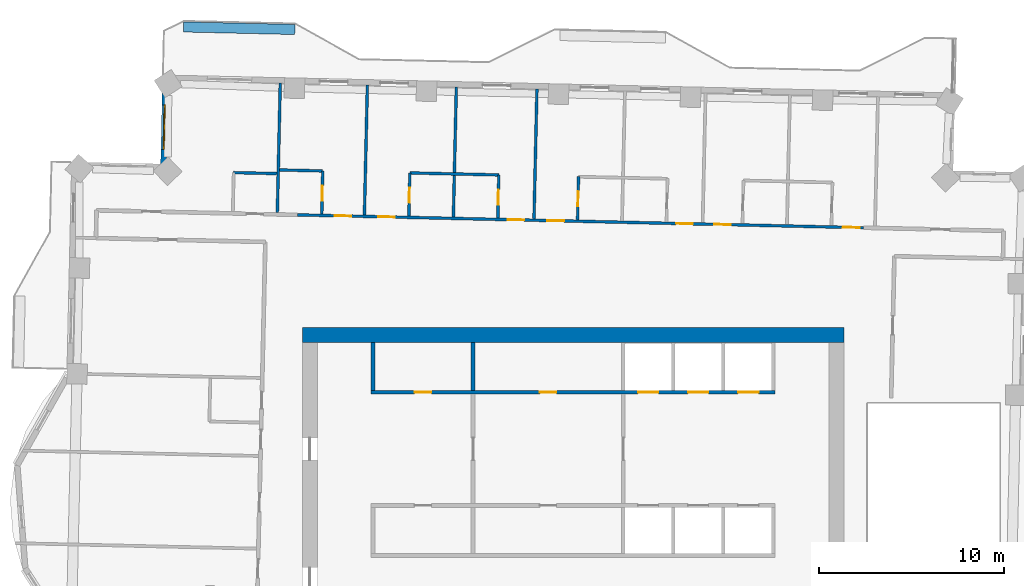
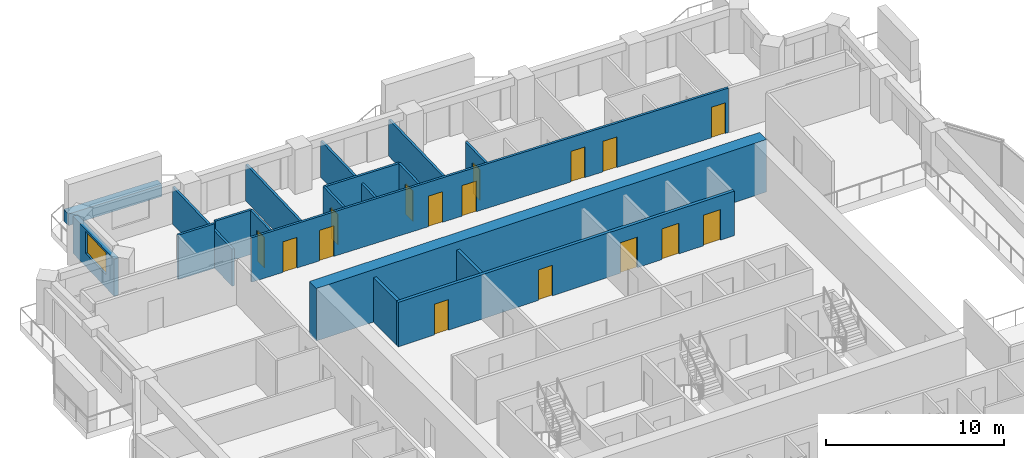
# One storey, part 10 of 16: 18 walls, 16 doors, 1 window, 17 openings.
"""IFC4 building model written with IfcOpenShell, lengths in metres."""

from ifc_helpers import new_model, si_unit, direction, frame, frame_2d, origin, place, context, subcontext, project, spatial, rectangle, extrude, material, layer, layer_set, type_object, element, fill, save


model = new_model("IFC4")

# Units and contexts
model_context = context("Model", 3, precision=1e-05, world=origin(), true_north=direction((0.0, 1.0)))
body_context = subcontext(model_context, "Body", "Model", "MODEL_VIEW")
ifc_project = project(units=[si_unit("LENGTHUNIT", "METRE"), si_unit("AREAUNIT", "SQUARE_METRE"), si_unit("VOLUMEUNIT", "CUBIC_METRE"), si_unit("PLANEANGLEUNIT", "RADIAN"), si_unit("MASSUNIT", "GRAM", prefix="KILO")], contexts=[model_context])

# Site, building, storey
site_placement = place(None, origin())
site = spatial("IfcSite", under=ifc_project, at=site_placement, CompositionType="ELEMENT")
building_placement = place(site_placement, origin())
building = spatial("IfcBuilding", under=site, at=building_placement, Name="Mangrove Gate Tower", CompositionType="ELEMENT")
storey_placement = place(building_placement, frame((0.0, 0.0, 212.300048828125)))
storey = spatial("IfcBuildingStorey", under=building, at=storey_placement, Name="L54", CompositionType="ELEMENT", Elevation=212.300048828125)

# Walls
ifc_material_1 = material(Name="Concrete C32/40", Category="concrete")
ifc_layer_1 = layer(ifc_material_1, 0.199951171875)
ifc_layer_set_1 = layer_set([ifc_layer_1], Name="Core room wall 200 C32/40")
wall_type_1 = type_object("IfcWallType", Name="Core room wall 200 C32/40", PredefinedType="STANDARD", material=ifc_layer_set_1)
for number, where, z_axis, x_axis, name in (
    (1, (-10.800048828125, 8.199951171875, 0.0), (0.0, 0.0, 1.0), (0.0, 1.0, 0.0), "WALL-L54-CORE-25"),
    (2, (-5.39990234375, 8.199951171875, 0.0), (0.0, 0.0, 1.0), (0.0, 1.0, 0.0), "WALL-L54-CORE-26"),
):
    element("IfcWall", number, at=place(storey_placement, frame(where, z_axis=z_axis, x_axis=x_axis)), inside=storey, type_object=wall_type_1, Name=name, PredefinedType="STANDARD", context=body_context, shape_type="SweptSolid", body=[
        extrude(rectangle(XDim=2.60009765625, YDim=0.199951171875, at=frame_2d((1.300048828125, 0.0))), origin(), (0.0, 0.0, 1.0), 3.050048828125),
    ])

# Wall, openings, doors
ifc_material_2 = material(Name="Concrete C60/75", Category="concrete")
ifc_layer_2 = layer(ifc_material_2, 0.199951171875)
ifc_layer_set_2 = layer_set([ifc_layer_2], Name="Core shaft wall 200 C60/75")
wall_type_2 = type_object("IfcWallType", Name="Core shaft wall 200 C60/75", PredefinedType="SHEAR", material=ifc_layer_set_2)
wall_1_placement = place(storey_placement, frame((-10.89990234375, 8.10009765625, 0.0), z_axis=(0.0, 0.0, 1.0), x_axis=(1.0, 0.0, 0.0)))
wall_1 = element("IfcWall", 3, at=wall_1_placement, inside=storey, type_object=wall_type_2, Name="WALL-L54-CORE-8", PredefinedType="SHEAR", context=body_context, shape_type="SweptSolid", body=[
    extrude(rectangle(XDim=21.7998046875, YDim=0.199951171875, at=frame_2d((10.89990234375, 0.0))), origin(), (0.0, 0.0, 1.0), 3.050048828125),
])
opening_1_placement = place(wall_1_placement, frame((14.39990234375, 0.0, 0.0)))
opening_1 = element("IfcOpeningElement", 4, at=opening_1_placement, cuts=wall_1, Name="Opening LD", PredefinedType="OPENING", context=body_context, shape_type="SweptSolid", body=[
    extrude(rectangle(XDim=1.10009765625, YDim=2.10009765625, at=frame_2d((0.550048828125, 1.050048828125))), frame((0.0, 0.10986328125, 0.0), z_axis=(0.0, -1.0, 0.0), x_axis=(1.0, 0.0, 0.0)), (0.0, 0.0, 1.0), 0.219970703125),
])
opening_2_placement = place(wall_1_placement, frame((17.10009765625, 0.0, 0.0)))
opening_2 = element("IfcOpeningElement", 5, at=opening_2_placement, cuts=wall_1, Name="Opening LD", PredefinedType="OPENING", context=body_context, shape_type="SweptSolid", body=[
    extrude(rectangle(XDim=1.10009765625, YDim=2.10009765625, at=frame_2d((0.550048828125, 1.050048828125))), frame((0.0, 0.10986328125, 0.0), z_axis=(0.0, -1.0, 0.0), x_axis=(1.0, 0.0, 0.0)), (0.0, 0.0, 1.0), 0.219970703125),
])
opening_3_placement = place(wall_1_placement, frame((19.800048828125, 0.0, 0.0)))
opening_3 = element("IfcOpeningElement", 6, at=opening_3_placement, cuts=wall_1, Name="Opening LD", PredefinedType="OPENING", context=body_context, shape_type="SweptSolid", body=[
    extrude(rectangle(XDim=1.10009765625, YDim=2.10009765625, at=frame_2d((0.550048828125, 1.050048828125))), frame((0.0, 0.10986328125, 0.0), z_axis=(0.0, -1.0, 0.0), x_axis=(1.0, 0.0, 0.0)), (0.0, 0.0, 1.0), 0.219970703125),
])
opening_4_placement = place(wall_1_placement, frame((2.35009765625, 0.0, 0.0)))
opening_4 = element("IfcOpeningElement", 7, at=opening_4_placement, cuts=wall_1, Name="Opening KD", PredefinedType="OPENING", context=body_context, shape_type="SweptSolid", body=[
    extrude(rectangle(XDim=0.89990234375, YDim=2.10009765625, at=frame_2d((0.449951171875, 1.050048828125))), frame((0.0, 0.10986328125, 0.0), z_axis=(0.0, -1.0, 0.0), x_axis=(1.0, 0.0, 0.0)), (0.0, 0.0, 1.0), 0.219970703125),
])
opening_5_placement = place(wall_1_placement, frame((9.10009765625, 0.0, 0.0)))
opening_5 = element("IfcOpeningElement", 8, at=opening_5_placement, cuts=wall_1, Name="Opening KD", PredefinedType="OPENING", context=body_context, shape_type="SweptSolid", body=[
    extrude(rectangle(XDim=0.89990234375, YDim=2.10009765625, at=frame_2d((0.449951171875, 1.050048828125))), frame((0.0, 0.10986328125, 0.0), z_axis=(0.0, -1.0, 0.0), x_axis=(1.0, 0.0, 0.0)), (0.0, 0.0, 1.0), 0.219970703125),
])
ifc_material_3 = material(Name="Fire-rated steel door set", Category="steel")
door_type_1 = type_object("IfcDoorType", Name="Core room door FD30S 900x2100", OperationType="SINGLE_SWING_RIGHT", PredefinedType="DOOR", material=ifc_material_3)
door_1_placement = place(opening_4_placement, origin())
door_1 = element("IfcDoor", 9, at=door_1_placement, inside=storey, type_object=door_type_1, Name="Core room door Core WC", OperationType="SINGLE_SWING_RIGHT", OverallHeight=2.10009765625, OverallWidth=0.89990234375, PredefinedType="DOOR", context=body_context, shape_type="SweptSolid", body=[
    extrude(rectangle(XDim=0.89990234375, YDim=2.10009765625, at=frame_2d((0.449951171875, 1.050048828125))), frame((0.0, 0.02490234375, 0.0), z_axis=(0.0, -1.0, 0.0), x_axis=(1.0, 0.0, 0.0)), (0.0, 0.0, 1.0), 0.050048828125),
])
fill(opening_4, door_1)
door_2_placement = place(opening_5_placement, origin())
door_2 = element("IfcDoor", 10, at=door_2_placement, inside=storey, type_object=door_type_1, Name="Core room door Pantry store", OperationType="SINGLE_SWING_RIGHT", OverallHeight=2.10009765625, OverallWidth=0.89990234375, PredefinedType="DOOR", context=body_context, shape_type="SweptSolid", body=[
    extrude(rectangle(XDim=0.89990234375, YDim=2.10009765625, at=frame_2d((0.449951171875, 1.050048828125))), frame((0.0, 0.02490234375, 0.0), z_axis=(0.0, -1.0, 0.0), x_axis=(1.0, 0.0, 0.0)), (0.0, 0.0, 1.0), 0.050048828125),
])
fill(opening_5, door_2)
ifc_material_4 = material(Name="Stainless steel 316", Category="steel")
door_type_2 = type_object("IfcDoorType", Name="Lift landing door 1100x2100", OperationType="SLIDING_TO_LEFT", PredefinedType="DOOR", material=ifc_material_4)
door_3_placement = place(opening_1_placement, origin())
door_3 = element("IfcDoor", 11, at=door_3_placement, inside=storey, type_object=door_type_2, Name="Landing door LD M04", OperationType="SLIDING_TO_LEFT", OverallHeight=2.10009765625, OverallWidth=1.10009765625, PredefinedType="DOOR", context=body_context, shape_type="SweptSolid", body=[
    extrude(rectangle(XDim=1.10009765625, YDim=2.10009765625, at=frame_2d((0.550048828125, 1.050048828125))), frame((0.0, 0.02490234375, 0.0), z_axis=(0.0, -1.0, 0.0), x_axis=(1.0, 0.0, 0.0)), (0.0, 0.0, 1.0), 0.050048828125),
])
fill(opening_1, door_3)
door_4_placement = place(opening_2_placement, origin())
door_4 = element("IfcDoor", 12, at=door_4_placement, inside=storey, type_object=door_type_2, Name="Landing door LD M05", OperationType="SLIDING_TO_LEFT", OverallHeight=2.10009765625, OverallWidth=1.10009765625, PredefinedType="DOOR", context=body_context, shape_type="SweptSolid", body=[
    extrude(rectangle(XDim=1.10009765625, YDim=2.10009765625, at=frame_2d((0.550048828125, 1.050048828125))), frame((0.0, 0.02490234375, 0.0), z_axis=(0.0, -1.0, 0.0), x_axis=(1.0, 0.0, 0.0)), (0.0, 0.0, 1.0), 0.050048828125),
])
fill(opening_2, door_4)
door_5_placement = place(opening_3_placement, origin())
door_5 = element("IfcDoor", 13, at=door_5_placement, inside=storey, type_object=door_type_2, Name="Landing door LD M06", OperationType="SLIDING_TO_LEFT", OverallHeight=2.10009765625, OverallWidth=1.10009765625, PredefinedType="DOOR", context=body_context, shape_type="SweptSolid", body=[
    extrude(rectangle(XDim=1.10009765625, YDim=2.10009765625, at=frame_2d((0.550048828125, 1.050048828125))), frame((0.0, 0.02490234375, 0.0), z_axis=(0.0, -1.0, 0.0), x_axis=(1.0, 0.0, 0.0)), (0.0, 0.0, 1.0), 0.050048828125),
])
fill(opening_3, door_5)

# Wall
ifc_material_5 = material(Name="Concrete C60/75", Category="concrete")
ifc_layer_3 = layer(ifc_material_5, 0.800048828125)
ifc_layer_set_3 = layer_set([ifc_layer_3], Name="Core wall 800 C60/75")
wall_type_3 = type_object("IfcWallType", Name="Core wall 800 C60/75", PredefinedType="SHEAR", material=ifc_layer_set_3)
wall_2_placement = place(storey_placement, frame((-14.60009765625, 11.199951171875, 0.0), z_axis=(0.0, 0.0, 1.0), x_axis=(1.0, 0.0, 0.0)))
element("IfcWall", 14, at=wall_2_placement, inside=storey, type_object=wall_type_3, Name="WALL-L54-CORE-2", PredefinedType="SHEAR", context=body_context, shape_type="SweptSolid", body=[
    extrude(rectangle(XDim=29.2001953125, YDim=0.800048828125, at=frame_2d((14.60009765625, 0.0))), origin(), (0.0, 0.0, 1.0), 3.599853515625),
])

# Wall, opening, window
ifc_material_6 = material(Name="Limestone", Category="masonry")
ifc_layer_4 = layer(ifc_material_6, 0.0400390625, Name="Limestone cladding")
ifc_material_7 = material(Name="Ventilated air gap")
ifc_layer_5 = layer(ifc_material_7, 0.0400390625, Name="Ventilated cavity")
ifc_material_8 = material(Name="Mineral wool insulation")
ifc_layer_6 = layer(ifc_material_8, 0.06005859375, Name="Insulation")
ifc_material_9 = material(Name="Breather membrane")
ifc_layer_7 = layer(ifc_material_9, 0.001953125, Name="Breather membrane")
ifc_material_10 = material(Name="Concrete C20/25 blockwork", Category="masonry")
ifc_layer_8 = layer(ifc_material_10, 0.14990234375, Name="Blockwork backing wall")
ifc_material_11 = material(Name="Gypsum plaster")
ifc_layer_9 = layer(ifc_material_11, 0.008056640625, Name="Internal plaster")
ifc_layer_set_4 = layer_set([ifc_layer_4, ifc_layer_5, ifc_layer_6, ifc_layer_7, ifc_layer_8, ifc_layer_9], Name="External wall 300 limestone cladding")
wall_type_4 = type_object("IfcWallType", Name="External wall 300 limestone cladding", PredefinedType="SOLIDWALL", material=ifc_layer_set_4)
wall_3_placement = place(storey_placement, frame((-21.99609375, 25.069091796875, 0.0), z_axis=(0.0, 0.0, 1.0), x_axis=(-0.022683280499, -0.999742701292, 0.0)))
wall_3 = element("IfcWall", 15, at=wall_3_placement, inside=storey, type_object=wall_type_4, Name="WALL-L54-W6", PredefinedType="SOLIDWALL", context=body_context, shape_type="SweptSolid", body=[
    extrude(rectangle(XDim=4.80029296875, YDim=0.300048828125, at=frame_2d((2.400146484375, 0.0))), origin(), (0.0, 0.0, 1.0), 2.550048828125),
])
opening_6_placement = place(wall_3_placement, frame((1.466064453125, 0.0, 0.89990234375)))
opening_6 = element("IfcOpeningElement", 16, at=opening_6_placement, cuts=wall_3, Name="Opening W2", PredefinedType="OPENING", context=body_context, shape_type="SweptSolid", body=[
    extrude(rectangle(XDim=2.39990234375, YDim=1.5, at=frame_2d((1.199951171875, 0.75))), frame((0.0, 0.159912109375, 0.0), z_axis=(0.0, -1.0, 0.0), x_axis=(1.0, 0.0, 0.0)), (0.0, 0.0, 1.0), 0.320068359375),
])
ifc_material_12 = material(Name="Aluminium frame with double-glazed low-e glass", Category="aluminium")
window_type = type_object("IfcWindowType", Name="Corner room window 2400x1500", PartitioningType="DOUBLE_PANEL_VERTICAL", PredefinedType="WINDOW", material=ifc_material_12)
window_placement = place(opening_6_placement, origin())
window = element("IfcWindow", 17, at=window_placement, inside=storey, type_object=window_type, Name="WIN-L54-W6-1", OverallHeight=1.5, OverallWidth=2.39990234375, PartitioningType="DOUBLE_PANEL_VERTICAL", PredefinedType="WINDOW", context=body_context, shape_type="SweptSolid", body=[
    extrude(rectangle(XDim=2.39990234375, YDim=1.5, at=frame_2d((1.199951171875, 0.75))), frame((0.0, 0.030029296875, 0.0), z_axis=(0.0, -1.0, 0.0), x_axis=(1.0, 0.0, 0.0)), (0.0, 0.0, 1.0), 0.06005859375),
])
fill(opening_6, window)

# Wall, openings, doors
ifc_material_13 = material(Name="Gypsum board on steel stud, EI 60", Category="steel")
ifc_layer_10 = layer(ifc_material_13, 0.14990234375)
ifc_layer_set_5 = layer_set([ifc_layer_10], Name="Party wall 150 EI 60")
wall_type_5 = type_object("IfcWallType", Name="Party wall 150 EI 60", PredefinedType="PARTITIONING", material=ifc_layer_set_5)
wall_4_placement = place(storey_placement, frame((-14.87109375, 17.675048828125, 0.0), z_axis=(0.0, 0.0, 1.0), x_axis=(0.999742359486, -0.02269834024, 0.0)))
wall_4 = element("IfcWall", 18, at=wall_4_placement, inside=storey, type_object=wall_type_5, Name="WALL-L54-052", PredefinedType="PARTITIONING", context=body_context, shape_type="SweptSolid", body=[
    extrude(rectangle(XDim=30.535888671875, YDim=0.14990234375, at=frame_2d((15.26806640625, 0.0))), origin(), (0.0, 0.0, 1.0), 3.050048828125),
])
opening_7_placement = place(wall_4_placement, frame((29.43603515625, 0.0, 0.0)))
opening_7 = element("IfcOpeningElement", 19, at=opening_7_placement, cuts=wall_4, Name="Opening BD", PredefinedType="OPENING", context=body_context, shape_type="SweptSolid", body=[
    extrude(rectangle(XDim=0.89990234375, YDim=2.10009765625, at=frame_2d((0.449951171875, 1.050048828125))), frame((0.0, 0.0849609375, 0.0), z_axis=(0.0, -1.0, 0.0), x_axis=(1.0, 0.0, 0.0)), (0.0, 0.0, 1.0), 0.169921875),
])
opening_8_placement = place(wall_4_placement, frame((22.48388671875, 0.0, 0.0)))
opening_8 = element("IfcOpeningElement", 20, at=opening_8_placement, cuts=wall_4, Name="Opening BD", PredefinedType="OPENING", context=body_context, shape_type="SweptSolid", body=[
    extrude(rectangle(XDim=0.89990234375, YDim=2.10009765625, at=frame_2d((0.449951171875, 1.050048828125))), frame((0.0, 0.0849609375, 0.0), z_axis=(0.0, -1.0, 0.0), x_axis=(1.0, 0.0, 0.0)), (0.0, 0.0, 1.0), 0.169921875),
])
opening_9_placement = place(wall_4_placement, frame((20.43408203125, 0.0, 0.0)))
opening_9 = element("IfcOpeningElement", 21, at=opening_9_placement, cuts=wall_4, Name="Opening BD", PredefinedType="OPENING", context=body_context, shape_type="SweptSolid", body=[
    extrude(rectangle(XDim=0.89990234375, YDim=2.10009765625, at=frame_2d((0.449951171875, 1.050048828125))), frame((0.0, 0.0849609375, 0.0), z_axis=(0.0, -1.0, 0.0), x_axis=(1.0, 0.0, 0.0)), (0.0, 0.0, 1.0), 0.169921875),
])
opening_10_placement = place(wall_4_placement, frame((13.48388671875, 0.0, 0.0)))
opening_10 = element("IfcOpeningElement", 22, at=opening_10_placement, cuts=wall_4, Name="Opening BD", PredefinedType="OPENING", context=body_context, shape_type="SweptSolid", body=[
    extrude(rectangle(XDim=0.89990234375, YDim=2.10009765625, at=frame_2d((0.449951171875, 1.050048828125))), frame((0.0, 0.0849609375, 0.0), z_axis=(0.0, -1.0, 0.0), x_axis=(1.0, 0.0, 0.0)), (0.0, 0.0, 1.0), 0.169921875),
])
opening_11_placement = place(wall_4_placement, frame((11.333984375, 0.0, 0.0)))
opening_11 = element("IfcOpeningElement", 23, at=opening_11_placement, cuts=wall_4, Name="Opening BD", PredefinedType="OPENING", context=body_context, shape_type="SweptSolid", body=[
    extrude(rectangle(XDim=0.89990234375, YDim=2.10009765625, at=frame_2d((0.449951171875, 1.050048828125))), frame((0.0, 0.0849609375, 0.0), z_axis=(0.0, -1.0, 0.0), x_axis=(1.0, 0.0, 0.0)), (0.0, 0.0, 1.0), 0.169921875),
])
opening_12_placement = place(wall_4_placement, frame((4.35888671875, 0.0, 0.0)))
opening_12 = element("IfcOpeningElement", 24, at=opening_12_placement, cuts=wall_4, Name="Opening BD", PredefinedType="OPENING", context=body_context, shape_type="SweptSolid", body=[
    extrude(rectangle(XDim=0.89990234375, YDim=2.10009765625, at=frame_2d((0.449951171875, 1.050048828125))), frame((0.0, 0.0849609375, 0.0), z_axis=(0.0, -1.0, 0.0), x_axis=(1.0, 0.0, 0.0)), (0.0, 0.0, 1.0), 0.169921875),
])
opening_13_placement = place(wall_4_placement, frame((2.009033203125, 0.0, 0.0)))
opening_13 = element("IfcOpeningElement", 25, at=opening_13_placement, cuts=wall_4, Name="Opening BD", PredefinedType="OPENING", context=body_context, shape_type="SweptSolid", body=[
    extrude(rectangle(XDim=0.89990234375, YDim=2.10009765625, at=frame_2d((0.449951171875, 1.050048828125))), frame((0.0, 0.0849609375, 0.0), z_axis=(0.0, -1.0, 0.0), x_axis=(1.0, 0.0, 0.0)), (0.0, 0.0, 1.0), 0.169921875),
])
ifc_material_14 = material(Name="Timber door leaf", Category="wood")
door_type_3 = type_object("IfcDoorType", Name="Bedroom door 900", OperationType="SINGLE_SWING_LEFT", PredefinedType="DOOR", material=ifc_material_14)
door_6_placement = place(opening_7_placement, origin())
door_6 = element("IfcDoor", 26, at=door_6_placement, inside=storey, type_object=door_type_3, Name="DOOR-L54-BED-c308", OperationType="SINGLE_SWING_RIGHT", OverallHeight=2.10009765625, OverallWidth=0.89990234375, PredefinedType="DOOR", context=body_context, shape_type="SweptSolid", body=[
    extrude(rectangle(XDim=0.89990234375, YDim=2.10009765625, at=frame_2d((0.449951171875, 1.050048828125))), frame((0.0, 0.02490234375, 0.0), z_axis=(0.0, -1.0, 0.0), x_axis=(1.0, 0.0, 0.0)), (0.0, 0.0, 1.0), 0.050048828125),
])
fill(opening_7, door_6)
door_7_placement = place(opening_8_placement, origin())
door_7 = element("IfcDoor", 27, at=door_7_placement, inside=storey, type_object=door_type_3, Name="DOOR-L54-BED-c309", OperationType="SINGLE_SWING_LEFT", OverallHeight=2.10009765625, OverallWidth=0.89990234375, PredefinedType="DOOR", context=body_context, shape_type="SweptSolid", body=[
    extrude(rectangle(XDim=0.89990234375, YDim=2.10009765625, at=frame_2d((0.449951171875, 1.050048828125))), frame((0.0, 0.02490234375, 0.0), z_axis=(0.0, -1.0, 0.0), x_axis=(1.0, 0.0, 0.0)), (0.0, 0.0, 1.0), 0.050048828125),
])
fill(opening_8, door_7)
door_8_placement = place(opening_9_placement, origin())
door_8 = element("IfcDoor", 28, at=door_8_placement, inside=storey, type_object=door_type_3, Name="DOOR-L54-BED-c410", OperationType="SINGLE_SWING_RIGHT", OverallHeight=2.10009765625, OverallWidth=0.89990234375, PredefinedType="DOOR", context=body_context, shape_type="SweptSolid", body=[
    extrude(rectangle(XDim=0.89990234375, YDim=2.10009765625, at=frame_2d((0.449951171875, 1.050048828125))), frame((0.0, 0.02490234375, 0.0), z_axis=(0.0, -1.0, 0.0), x_axis=(1.0, 0.0, 0.0)), (0.0, 0.0, 1.0), 0.050048828125),
])
fill(opening_9, door_8)
door_9_placement = place(opening_10_placement, origin())
door_9 = element("IfcDoor", 29, at=door_9_placement, inside=storey, type_object=door_type_3, Name="DOOR-L54-BED-c411", OperationType="SINGLE_SWING_LEFT", OverallHeight=2.10009765625, OverallWidth=0.89990234375, PredefinedType="DOOR", context=body_context, shape_type="SweptSolid", body=[
    extrude(rectangle(XDim=0.89990234375, YDim=2.10009765625, at=frame_2d((0.449951171875, 1.050048828125))), frame((0.0, 0.02490234375, 0.0), z_axis=(0.0, -1.0, 0.0), x_axis=(1.0, 0.0, 0.0)), (0.0, 0.0, 1.0), 0.050048828125),
])
fill(opening_10, door_9)
door_10_placement = place(opening_11_placement, origin())
door_10 = element("IfcDoor", 30, at=door_10_placement, inside=storey, type_object=door_type_3, Name="DOOR-L54-BED-c412", OperationType="SINGLE_SWING_RIGHT", OverallHeight=2.10009765625, OverallWidth=0.89990234375, PredefinedType="DOOR", context=body_context, shape_type="SweptSolid", body=[
    extrude(rectangle(XDim=0.89990234375, YDim=2.10009765625, at=frame_2d((0.449951171875, 1.050048828125))), frame((0.0, 0.02490234375, 0.0), z_axis=(0.0, -1.0, 0.0), x_axis=(1.0, 0.0, 0.0)), (0.0, 0.0, 1.0), 0.050048828125),
])
fill(opening_11, door_10)
door_11_placement = place(opening_12_placement, origin())
door_11 = element("IfcDoor", 31, at=door_11_placement, inside=storey, type_object=door_type_3, Name="DOOR-L54-BED-c513", OperationType="SINGLE_SWING_LEFT", OverallHeight=2.10009765625, OverallWidth=0.89990234375, PredefinedType="DOOR", context=body_context, shape_type="SweptSolid", body=[
    extrude(rectangle(XDim=0.89990234375, YDim=2.10009765625, at=frame_2d((0.449951171875, 1.050048828125))), frame((0.0, 0.02490234375, 0.0), z_axis=(0.0, -1.0, 0.0), x_axis=(1.0, 0.0, 0.0)), (0.0, 0.0, 1.0), 0.050048828125),
])
fill(opening_12, door_11)
door_12_placement = place(opening_13_placement, origin())
door_12 = element("IfcDoor", 32, at=door_12_placement, inside=storey, type_object=door_type_3, Name="DOOR-L54-BED-c514", OperationType="SINGLE_SWING_RIGHT", OverallHeight=2.10009765625, OverallWidth=0.89990234375, PredefinedType="DOOR", context=body_context, shape_type="SweptSolid", body=[
    extrude(rectangle(XDim=0.89990234375, YDim=2.10009765625, at=frame_2d((0.449951171875, 1.050048828125))), frame((0.0, 0.02490234375, 0.0), z_axis=(0.0, -1.0, 0.0), x_axis=(1.0, 0.0, 0.0)), (0.0, 0.0, 1.0), 0.050048828125),
])
fill(opening_13, door_12)

# Wall
wall_5_placement = place(storey_placement, frame((-15.95703125, 17.803955078125, 0.0), z_axis=(0.0, 0.0, 1.0), x_axis=(0.022643496158, 0.999743603171, 0.0)))
element("IfcWall", 33, at=wall_5_placement, inside=storey, type_object=wall_type_5, Name="WALL-L54-055", PredefinedType="PARTITIONING", context=body_context, shape_type="SweptSolid", body=[
    extrude(rectangle(XDim=6.975830078125, YDim=0.14990234375, at=frame_2d((3.48779296875, 0.0))), origin(), (0.0, 0.0, 1.0), 2.550048828125),
])

# Wall, opening, door
wall_6_placement = place(storey_placement, frame((-13.55810546875, 17.72412109375, 0.0), z_axis=(0.0, 0.0, 1.0), x_axis=(0.022361308448, 0.999749954681, 0.0)))
wall_6 = element("IfcWall", 34, at=wall_6_placement, inside=storey, type_object=wall_type_5, Name="WALL-L54-056", PredefinedType="PARTITIONING", context=body_context, shape_type="SweptSolid", body=[
    extrude(rectangle(XDim=2.325439453125, YDim=0.14990234375, at=frame_2d((1.16259765625, 0.0))), origin(), (0.0, 0.0, 1.0), 3.050048828125),
])
opening_14_placement = place(wall_6_placement, frame((0.72509765625, 0.0, 0.0)))
opening_14 = element("IfcOpeningElement", 35, at=opening_14_placement, cuts=wall_6, Name="Opening ED", PredefinedType="OPENING", context=body_context, shape_type="SweptSolid", body=[
    extrude(rectangle(XDim=0.800048828125, YDim=2.10009765625, at=frame_2d((0.39990234375, 1.050048828125))), frame((0.0, 0.0849609375, 0.0), z_axis=(0.0, -1.0, 0.0), x_axis=(1.0, 0.0, 0.0)), (0.0, 0.0, 1.0), 0.169921875),
])
ifc_material_15 = material(Name="Timber door leaf", Category="wood")
door_type_4 = type_object("IfcDoorType", Name="En-suite door 800", OperationType="SINGLE_SWING_LEFT", PredefinedType="DOOR", material=ifc_material_15)
door_13_placement = place(opening_14_placement, origin())
door_13 = element("IfcDoor", 36, at=door_13_placement, inside=storey, type_object=door_type_4, Name="DOOR-L54-ENS-c514", OperationType="SINGLE_SWING_RIGHT", OverallHeight=2.10009765625, OverallWidth=0.800048828125, PredefinedType="DOOR", context=body_context, shape_type="SweptSolid", body=[
    extrude(rectangle(XDim=0.800048828125, YDim=2.10009765625, at=frame_2d((0.39990234375, 1.050048828125))), frame((0.0, 0.02490234375, 0.0), z_axis=(0.0, -1.0, 0.0), x_axis=(1.0, 0.0, 0.0)), (0.0, 0.0, 1.0), 0.050048828125),
])
fill(opening_14, door_13)

# Wall
wall_7_placement = place(storey_placement, frame((-11.259033203125, 17.672119140625, 0.0), z_axis=(0.0, 0.0, 1.0), x_axis=(0.022699227919, 0.999742339331, 0.0)))
element("IfcWall", 37, at=wall_7_placement, inside=storey, type_object=wall_type_5, Name="WALL-L54-057", PredefinedType="PARTITIONING", context=body_context, shape_type="SweptSolid", body=[
    extrude(rectangle(XDim=7.001708984375, YDim=0.14990234375, at=frame_2d((3.5009765625, 0.0))), origin(), (0.0, 0.0, 1.0), 2.5),
])

# Wall, opening, door
wall_8_placement = place(storey_placement, frame((-8.860107421875, 17.617919921875, 0.0), z_axis=(0.0, 0.0, 1.0), x_axis=(0.022895561926, 0.999737862264, 0.0)))
wall_8 = element("IfcWall", 38, at=wall_8_placement, inside=storey, type_object=wall_type_5, Name="WALL-L54-058", PredefinedType="PARTITIONING", context=body_context, shape_type="SweptSolid", body=[
    extrude(rectangle(XDim=2.324462890625, YDim=0.14990234375, at=frame_2d((1.162109375, 0.0))), origin(), (0.0, 0.0, 1.0), 3.050048828125),
])
opening_15_placement = place(wall_8_placement, frame((0.72509765625, 0.0, 0.0)))
opening_15 = element("IfcOpeningElement", 39, at=opening_15_placement, cuts=wall_8, Name="Opening ED", PredefinedType="OPENING", context=body_context, shape_type="SweptSolid", body=[
    extrude(rectangle(XDim=0.800048828125, YDim=2.10009765625, at=frame_2d((0.39990234375, 1.050048828125))), frame((0.0, 0.0849609375, 0.0), z_axis=(0.0, -1.0, 0.0), x_axis=(1.0, 0.0, 0.0)), (0.0, 0.0, 1.0), 0.169921875),
])
door_14_placement = place(opening_15_placement, origin())
door_14 = element("IfcDoor", 40, at=door_14_placement, inside=storey, type_object=door_type_4, Name="DOOR-L54-ENS-c513", OperationType="SINGLE_SWING_LEFT", OverallHeight=2.10009765625, OverallWidth=0.800048828125, PredefinedType="DOOR", context=body_context, shape_type="SweptSolid", body=[
    extrude(rectangle(XDim=0.800048828125, YDim=2.10009765625, at=frame_2d((0.39990234375, 1.050048828125))), frame((0.0, 0.02490234375, 0.0), z_axis=(0.0, -1.0, 0.0), x_axis=(1.0, 0.0, 0.0)), (0.0, 0.0, 1.0), 0.050048828125),
])
fill(opening_15, door_14)

# Wall
wall_9_placement = place(storey_placement, frame((-6.4599609375, 17.56298828125, 0.0), z_axis=(0.0, 0.0, 1.0), x_axis=(0.022699227919, 0.999742339331, 0.0)))
element("IfcWall", 41, at=wall_9_placement, inside=storey, type_object=wall_type_5, Name="WALL-L54-059", PredefinedType="PARTITIONING", context=body_context, shape_type="SweptSolid", body=[
    extrude(rectangle(XDim=7.001708984375, YDim=0.14990234375, at=frame_2d((3.5009765625, 0.0))), origin(), (0.0, 0.0, 1.0), 2.5),
])

# Wall, opening, door
wall_10_placement = place(storey_placement, frame((-4.06103515625, 17.509033203125, 0.0), z_axis=(0.0, 0.0, 1.0), x_axis=(0.02279059109, 0.999740260747, 0.0)))
wall_10 = element("IfcWall", 42, at=wall_10_placement, inside=storey, type_object=wall_type_5, Name="WALL-L54-060", PredefinedType="PARTITIONING", context=body_context, shape_type="SweptSolid", body=[
    extrude(rectangle(XDim=2.324462890625, YDim=0.14990234375, at=frame_2d((1.162109375, 0.0))), origin(), (0.0, 0.0, 1.0), 3.050048828125),
])
opening_16_placement = place(wall_10_placement, frame((0.72509765625, 0.0, 0.0)))
opening_16 = element("IfcOpeningElement", 43, at=opening_16_placement, cuts=wall_10, Name="Opening ED", PredefinedType="OPENING", context=body_context, shape_type="SweptSolid", body=[
    extrude(rectangle(XDim=0.800048828125, YDim=2.10009765625, at=frame_2d((0.39990234375, 1.050048828125))), frame((0.0, 0.0849609375, 0.0), z_axis=(0.0, -1.0, 0.0), x_axis=(1.0, 0.0, 0.0)), (0.0, 0.0, 1.0), 0.169921875),
])
door_15_placement = place(opening_16_placement, origin())
door_15 = element("IfcDoor", 44, at=door_15_placement, inside=storey, type_object=door_type_4, Name="DOOR-L54-ENS-c412", OperationType="SINGLE_SWING_RIGHT", OverallHeight=2.10009765625, OverallWidth=0.800048828125, PredefinedType="DOOR", context=body_context, shape_type="SweptSolid", body=[
    extrude(rectangle(XDim=0.800048828125, YDim=2.10009765625, at=frame_2d((0.39990234375, 1.050048828125))), frame((0.0, 0.02490234375, 0.0), z_axis=(0.0, -1.0, 0.0), x_axis=(1.0, 0.0, 0.0)), (0.0, 0.0, 1.0), 0.050048828125),
])
fill(opening_16, door_15)

# Wall
wall_11_placement = place(storey_placement, frame((-2.111083984375, 17.465087890625, 0.0), z_axis=(0.0, 0.0, 1.0), x_axis=(0.022597827698, 0.999744636486, 0.0)))
element("IfcWall", 45, at=wall_11_placement, inside=storey, type_object=wall_type_5, Name="WALL-L54-061", PredefinedType="PARTITIONING", context=body_context, shape_type="SweptSolid", body=[
    extrude(rectangle(XDim=7.000732421875, YDim=0.14990234375, at=frame_2d((3.50048828125, 0.0))), origin(), (0.0, 0.0, 1.0), 2.5),
])

# Wall, opening, door
wall_12_placement = place(storey_placement, frame((0.238037109375, 17.410888671875, 0.0), z_axis=(0.0, 0.0, 1.0), x_axis=(0.022778632478, 0.99974053329, 0.0)))
wall_12 = element("IfcWall", 46, at=wall_12_placement, inside=storey, type_object=wall_type_5, Name="WALL-L54-062", PredefinedType="PARTITIONING", context=body_context, shape_type="SweptSolid", body=[
    extrude(rectangle(XDim=2.32568359375, YDim=0.14990234375, at=frame_2d((1.162841796875, 0.0))), origin(), (0.0, 0.0, 1.0), 3.050048828125),
])
opening_17_placement = place(wall_12_placement, frame((0.72509765625, 0.0, 0.0)))
opening_17 = element("IfcOpeningElement", 47, at=opening_17_placement, cuts=wall_12, Name="Opening ED", PredefinedType="OPENING", context=body_context, shape_type="SweptSolid", body=[
    extrude(rectangle(XDim=0.800048828125, YDim=2.10009765625, at=frame_2d((0.39990234375, 1.050048828125))), frame((0.0, 0.0849609375, 0.0), z_axis=(0.0, -1.0, 0.0), x_axis=(1.0, 0.0, 0.0)), (0.0, 0.0, 1.0), 0.169921875),
])
door_16_placement = place(opening_17_placement, origin())
door_16 = element("IfcDoor", 48, at=door_16_placement, inside=storey, type_object=door_type_4, Name="DOOR-L54-ENS-c411", OperationType="SINGLE_SWING_LEFT", OverallHeight=2.10009765625, OverallWidth=0.800048828125, PredefinedType="DOOR", context=body_context, shape_type="SweptSolid", body=[
    extrude(rectangle(XDim=0.800048828125, YDim=2.10009765625, at=frame_2d((0.39990234375, 1.050048828125))), frame((0.0, 0.02490234375, 0.0), z_axis=(0.0, -1.0, 0.0), x_axis=(1.0, 0.0, 0.0)), (0.0, 0.0, 1.0), 0.050048828125),
])
fill(opening_17, door_16)

# Walls
for number, where, z_axis, x_axis, name in (
    (49, (-18.31103515625, 19.9541015625, 0.0), (0.0, 0.0, 1.0), (0.999737862264, -0.022895561926, 0.0), "WALL-L54-070"),
    (50, (-15.83203125, 20.097900390625, 0.0), (0.0, 0.0, 1.0), (0.999740260747, -0.02279059109, 0.0), "WALL-L54-071"),
):
    element("IfcWall", number, at=place(storey_placement, frame(where, z_axis=z_axis, x_axis=x_axis)), inside=storey, type_object=wall_type_5, Name=name, PredefinedType="PARTITIONING", context=body_context, shape_type="SweptSolid", body=[
        extrude(rectangle(XDim=2.324462890625, YDim=0.14990234375, at=frame_2d((1.162109375, 0.0))), origin(), (0.0, 0.0, 1.0), 3.050048828125),
    ])
wall_13_placement = place(storey_placement, frame((-8.80908203125, 19.93798828125, 0.0), z_axis=(0.0, 0.0, 1.0), x_axis=(0.999742701292, -0.022683280499, 0.0)))
element("IfcWall", 51, at=wall_13_placement, inside=storey, type_object=wall_type_5, Name="WALL-L54-072", PredefinedType="PARTITIONING", context=body_context, shape_type="SweptSolid", body=[
    extrude(rectangle(XDim=4.80029296875, YDim=0.14990234375, at=frame_2d((2.400146484375, 0.0))), origin(), (0.0, 0.0, 1.0), 3.050048828125),
])
ifc_material_16 = material(Name="Concrete C32/40", Category="concrete")
ifc_layer_11 = layer(ifc_material_16, 0.199951171875, Name="Planter trough wall")
ifc_material_17 = material(Name="Bituminous waterproofing membrane")
ifc_layer_12 = layer(ifc_material_17, 0.0048828125, Name="Waterproofing")
ifc_material_18 = material(Name="Drainage board and gravel")
ifc_layer_13 = layer(ifc_material_18, 0.044921875, Name="Drainage layer")
ifc_material_19 = material(Name="Planting soil")
ifc_layer_14 = layer(ifc_material_19, 0.300048828125, Name="Growing medium")
ifc_layer_set_6 = layer_set([ifc_layer_11, ifc_layer_12, ifc_layer_13, ifc_layer_14], Name="Planter wall 550 C32/40")
wall_type_6 = type_object("IfcWallType", Name="Planter wall 550 C32/40", PredefinedType="USERDEFINED", material=ifc_layer_set_6)
wall_14_placement = place(storey_placement, frame((-21.010986328125, 27.81201171875, 0.0), z_axis=(0.0, 0.0, 1.0), x_axis=(0.999743094499, -0.022665943652, 0.0)))
element("IfcWall", 52, at=wall_14_placement, inside=storey, type_object=wall_type_6, Name="PLANTER L54 N1.1", ObjectType="PLANTER", PredefinedType="USERDEFINED", context=body_context, shape_type="SweptSolid", body=[
    extrude(rectangle(XDim=5.99951171875, YDim=0.550048828125, at=frame_2d((2.999755859375, 0.0))), origin(), (0.0, 0.0, 1.0), 0.800048828125),
])

save(model, "model.ifc")
